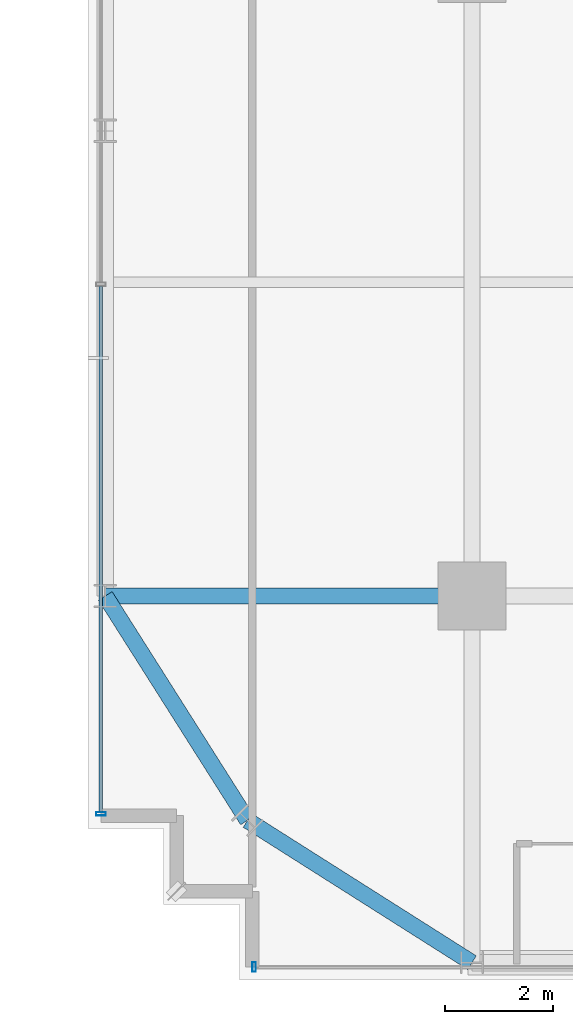
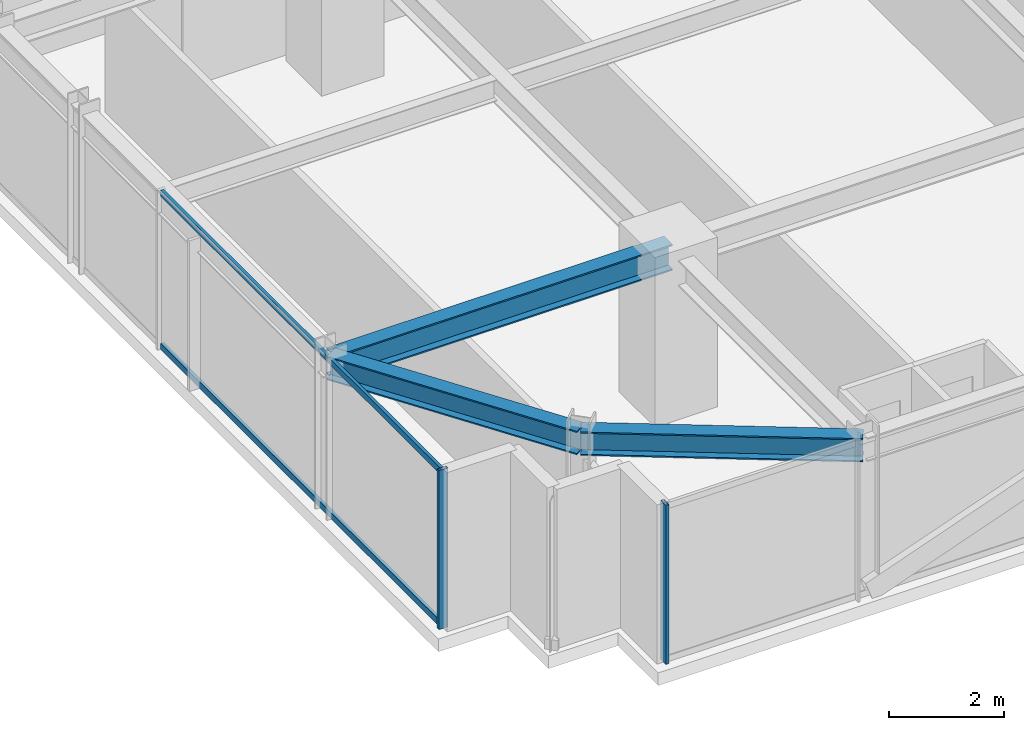
# One storey, part 2 of 40: 4 members, 3 beams, 2 elements without a shape of their own.
"""IFC4 building model written with IfcOpenShell, lengths in metres."""

from ifc_helpers import new_model, si_unit, direction, frame, origin, origin_2d, place, context, subcontext, project, spatial, hollow_rectangle, i_section, extrude, source, transform, mapped, material, material_profile, profile_set, type_object, element, aggregate, save


model = new_model("IFC4")

# Units and contexts
model_context = context("Model", 3, precision=1e-05, world=origin(), true_north=direction((0.0, 1.0)))
body_context = subcontext(model_context, "Body", "Model", "MODEL_VIEW")
ifc_project = project(units=[si_unit("LENGTHUNIT", "METRE"), si_unit("AREAUNIT", "SQUARE_METRE"), si_unit("VOLUMEUNIT", "CUBIC_METRE"), si_unit("PLANEANGLEUNIT", "RADIAN"), si_unit("MASSUNIT", "GRAM", prefix="KILO")], contexts=[model_context])

# Site, building, storey
site_placement = place(None, origin())
site = spatial("IfcSite", under=ifc_project, at=site_placement, CompositionType="ELEMENT")
building_placement = place(site_placement, origin())
building = spatial("IfcBuilding", under=site, at=building_placement, Name="Nahalor Promenade Grand Hotel", CompositionType="ELEMENT")
storey_placement = place(building_placement, frame((0.0, 0.0, 91.949951171875)))
storey = spatial("IfcBuildingStorey", under=building, at=storey_placement, Name="L22", CompositionType="ELEMENT", Elevation=91.949951171875)

# Beams
ifc_material_1 = material(Name="Steel S355JR", Category="steel")
ifc_material_profile_1 = material_profile(ifc_material_1, i_section(OverallWidth=0.3, OverallDepth=0.5, WebThickness=0.0145, FlangeThickness=0.028, at=origin_2d()), Name="HEB 500")
ifc_profile_set_1 = profile_set([ifc_material_profile_1], Name="Steel S355JR")
beam_type_1 = type_object("IfcBeamType", Name="Beam-Spandrel-HEB500", PredefinedType="SPANDREL", material=ifc_profile_set_1)
shared_shape_1 = source(origin(), body_context, "Body", "SweptSolid", [
    extrude(i_section(OverallWidth=0.3, OverallDepth=0.5, WebThickness=0.0145, FlangeThickness=0.028, at=origin_2d()), origin(), (0.0, 0.0, 1.0), 4.9130859375),
])
for number, where, z_axis, x_axis, name in (
    (1, (-17.0, -23.780029296875, 3.130126953125), (-0.844648325505, 0.535321591403, 0.0), (-0.535321591403, -0.844648325505, 0.0), "BM-L22-SPC-SW-1"),
    (2, (-21.14990234375, -21.14990234375, 3.130126953125), (-0.535321591403, 0.844648325505, 0.0), (-0.844648325505, -0.535321591403, 0.0), "BM-L22-SPC-SW-2"),
):
    element("IfcBeam", number, at=place(storey_placement, frame(where, z_axis=z_axis, x_axis=x_axis)), inside=storey, type_object=beam_type_1, Name=name, PredefinedType="SPANDREL", context=body_context, shape_type="MappedRepresentation", body=[
        mapped(shared_shape_1, transform((0.0, 0.0, 0.0), scale=1.0)),
    ])
ifc_material_profile_2 = material_profile(ifc_material_1, i_section(OverallWidth=0.3, OverallDepth=0.55, WebThickness=0.015, FlangeThickness=0.029, at=origin_2d()), Name="HEB 550")
ifc_profile_set_2 = profile_set([ifc_material_profile_2], Name="Steel S355JR")
beam_type_2 = type_object("IfcBeamType", Name="Beam-Girder-HEB550", PredefinedType="BEAM", material=ifc_profile_set_2)
shared_shape_2 = source(origin(), body_context, "Body", "SweptSolid", [
    extrude(i_section(OverallWidth=0.3, OverallDepth=0.55, WebThickness=0.015, FlangeThickness=0.029, at=origin_2d()), origin(), (0.0, 0.0, 1.0), 6.780029296875),
])
beam_placement = place(storey_placement, frame((-23.780029296875, -17.0, 3.10498046875), z_axis=(1.0, 0.0, 0.0), x_axis=(0.0, 1.0, 0.0)))
element("IfcBeam", 3, at=beam_placement, inside=storey, type_object=beam_type_2, Name="BM-L22-GX-0-0", PredefinedType="BEAM", context=body_context, shape_type="MappedRepresentation", body=[
    mapped(shared_shape_2, transform((0.0, 0.0, 0.0), scale=1.0)),
])

# Curtain wall, members
ifc_material_2 = material(Name="Anodised Bronze Aluminium EN AW-6063 T6", Category="aluminium")
curtain_wall_type = type_object("IfcCurtainWallType", Name="CW2 Typical Hotel Flush Bronze Unitised Curtain Wall", PredefinedType="USERDEFINED", material=ifc_material_2)
curtain_wall_1_placement = place(storey_placement, origin())
curtain_wall_1 = element("IfcCurtainWall", 4, at=curtain_wall_1_placement, inside=storey, type_object=curtain_wall_type, Name="L22 Curtain Wall CW-L22-W-1", ObjectType="UNITISED_CURTAIN_WALL", PredefinedType="USERDEFINED")
ifc_material_profile_3 = material_profile(ifc_material_2, hollow_rectangle(XDim=0.065, YDim=0.13, WallThickness=0.004, at=origin_2d()), Name="CWT 65x130x4")
ifc_profile_set_3 = profile_set([ifc_material_profile_3], Name="Anodised Bronze Aluminium EN AW-6063 T6")
member_type_1 = type_object("IfcMemberType", Name="CWT2 Typical Bronze Transom 65x130", PredefinedType="USERDEFINED", material=ifc_profile_set_3)
shared_shape_3 = source(origin(), body_context, "Body", "SweptSolid", [
    extrude(hollow_rectangle(XDim=0.065, YDim=0.13, WallThickness=0.004, at=origin_2d()), origin(), (0.0, 0.0, 1.0), 9.72265625),
])
member_1_placement = place(storey_placement, frame((-23.860107421875, -20.9951171875, 0.06494140625), z_axis=(0.0, 1.0, 0.0), x_axis=(-1.0, 0.0, 0.0)))
member_1 = element("IfcMember", 5, at=member_1_placement, type_object=member_type_1, Name="CW-L22-W-1 Transom 0-0", ObjectType="TRANSOM", PredefinedType="USERDEFINED", context=body_context, shape_type="MappedRepresentation", body=[
    mapped(shared_shape_3, transform((0.0, 0.0, 0.0), scale=1.0)),
])
member_2_placement = place(storey_placement, frame((-23.860107421875, -20.9951171875, 3.31494140625), z_axis=(0.0, 1.0, 0.0), x_axis=(-1.0, 0.0, 0.0)))
member_2 = element("IfcMember", 6, at=member_2_placement, type_object=member_type_1, Name="CW-L22-W-1 Transom 0-1", ObjectType="TRANSOM", PredefinedType="USERDEFINED", context=body_context, shape_type="MappedRepresentation", body=[
    mapped(shared_shape_3, transform((0.0, 0.0, 0.0), scale=1.0)),
])

# Curtain wall, member
curtain_wall_2_placement = place(storey_placement, origin())
curtain_wall_2 = element("IfcCurtainWall", 7, at=curtain_wall_2_placement, inside=storey, type_object=curtain_wall_type, Name="L22 Curtain Wall CW-L22-S-1", ObjectType="UNITISED_CURTAIN_WALL", PredefinedType="USERDEFINED")
ifc_material_profile_4 = material_profile(ifc_material_2, hollow_rectangle(XDim=0.065, YDim=0.18, WallThickness=0.004, at=origin_2d()), Name="CWM 65x180x4")
ifc_profile_set_4 = profile_set([ifc_material_profile_4], Name="Anodised Bronze Aluminium EN AW-6063 T6")
member_type_2 = type_object("IfcMemberType", Name="CWM2 Typical Bronze Mullion 65x180", PredefinedType="MULLION", material=ifc_profile_set_4)
shared_shape_4 = source(origin(), body_context, "Body", "SweptSolid", [
    extrude(hollow_rectangle(XDim=0.065, YDim=0.18, WallThickness=0.004, at=origin_2d()), origin(), (0.0, 0.0, 1.0), 3.380126953125),
])
member_3_placement = place(storey_placement, frame((-21.027587890625, -23.860107421875, 0.0), z_axis=(0.0, 0.0, 1.0), x_axis=(1.0, 0.0, 0.0)))
member_3 = element("IfcMember", 8, at=member_3_placement, type_object=member_type_2, Name="CW-L22-S-1 Mullion 0", PredefinedType="MULLION", context=body_context, shape_type="MappedRepresentation", body=[
    mapped(shared_shape_4, transform((0.0, 0.0, 0.0), scale=1.0)),
])
aggregate(curtain_wall_2, [member_3])

# Member
member_4_placement = place(storey_placement, frame((-23.860107421875, -21.027587890625, 0.0), z_axis=(0.0, 0.0, 1.0), x_axis=(0.0, 1.0, 0.0)))
member_4 = element("IfcMember", 9, at=member_4_placement, type_object=member_type_2, Name="CW-L22-W-1 Mullion 0", PredefinedType="MULLION", context=body_context, shape_type="MappedRepresentation", body=[
    mapped(shared_shape_4, transform((0.0, 0.0, 0.0), scale=1.0)),
])

aggregate(curtain_wall_1, [member_4, member_1, member_2])

save(model, "model.ifc")
